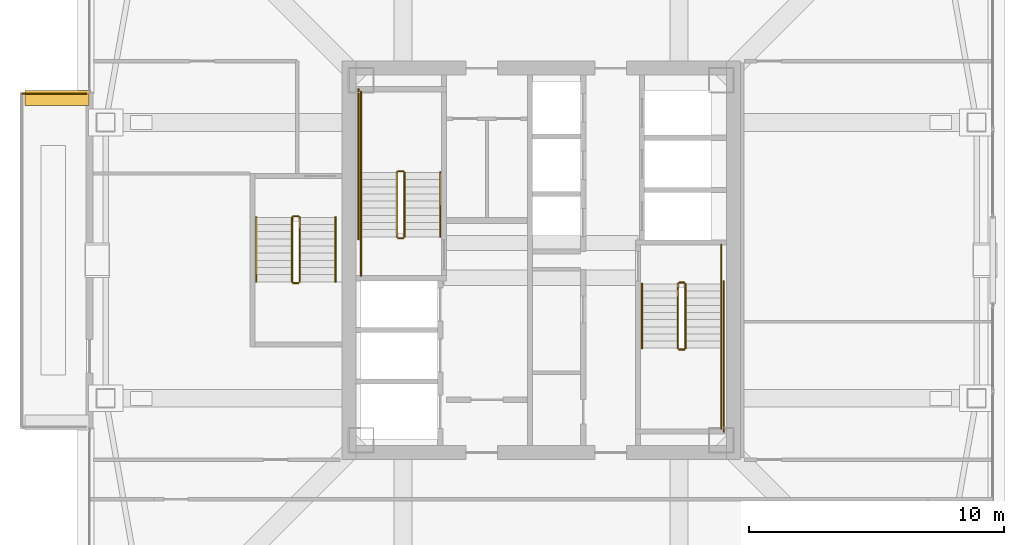
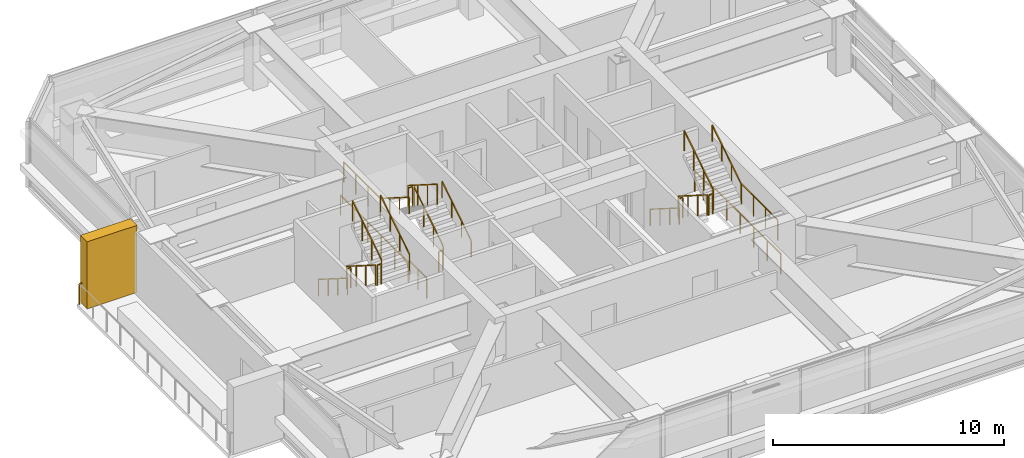
# One storey, part 38 of 42: 25 railings, 1 covering.
"""IFC4 building model written with IfcOpenShell, lengths in metres."""

from ifc_helpers import new_model, si_unit, direction, frame, origin, origin_2d, place, context, subcontext, project, spatial, rectangle, extrude, material, layer, layer_set, type_object, element, save


model = new_model("IFC4")

# Units and contexts
model_context = context("Model", 3, precision=1e-05, world=origin(), true_north=direction((0.0, 1.0)))
body_context = subcontext(model_context, "Body", "Model", "MODEL_VIEW")
ifc_project = project(units=[si_unit("LENGTHUNIT", "METRE"), si_unit("AREAUNIT", "SQUARE_METRE"), si_unit("VOLUMEUNIT", "CUBIC_METRE"), si_unit("PLANEANGLEUNIT", "RADIAN"), si_unit("MASSUNIT", "GRAM", prefix="KILO")], contexts=[model_context])

# Site, building, storey
site_placement = place(None, origin())
site = spatial("IfcSite", under=ifc_project, at=site_placement, CompositionType="ELEMENT")
building_placement = place(site_placement, origin())
building = spatial("IfcBuilding", under=site, at=building_placement, Name="Tashvorn Skyway Center", CompositionType="ELEMENT")
storey_placement = place(building_placement, frame((0.0, 0.0, 196.050048828125)))
storey = spatial("IfcBuildingStorey", under=building, at=storey_placement, Name="L53", CompositionType="ELEMENT", Elevation=196.050048828125)

# Covering
ifc_material_1 = material(Name="Precast concrete C40/50", Category="concrete")
ifc_layer = layer(ifc_material_1, 0.35009765625)
ifc_layer_set = layer_set([ifc_layer], Name="Precast concrete C40/50")
covering_type = type_object("IfcCoveringType", Name="COV-STONE-TRIM", PredefinedType="CLADDING", material=ifc_layer_set)
covering_placement = place(storey_placement, frame((23.050048828125, 38.35009765625, 0.0), z_axis=(0.0, 0.0, 1.0), x_axis=(0.0, 1.0, 0.0)))
element("IfcCovering", 1, at=covering_placement, inside=storey, type_object=covering_type, Name="Tower 1 L53 Sky Garden Loggia Pier R", PredefinedType="CLADDING", context=body_context, shape_type="SweptSolid", body=[
    extrude(rectangle(XDim=0.580078125, YDim=2.5, at=origin_2d()), origin(), (0.0, 0.0, 1.0), 3.550048828125),
])

# Railings
ifc_material_2 = material(Name="Galvanized steel S355", Category="steel")
railing_type_1 = type_object("IfcRailingType", Name="RAIL-GUARD-1120", PredefinedType="GUARDRAIL", material=ifc_material_2)
railing_1_placement = place(storey_placement, frame((21.679931640625, 38.52001953125, 0.0)))
element("IfcRailing", 2, at=railing_1_placement, inside=storey, type_object=railing_type_1, Name="L53 Tower 1 Terrace Guardrail 03", PredefinedType="GUARDRAIL", context=body_context, shape_type="SweptSolid", body=[
    extrude(rectangle(XDim=0.048095703125, YDim=0.048095703125, at=origin_2d()), frame((0.0, 0.0, 1.09619140625), z_axis=(1.0, 0.0, 0.0), x_axis=(0.0, 1.0, 0.0)), (0.0, 0.0, 1.0), 2.52001953125),
    extrude(rectangle(XDim=0.0419921875, YDim=0.0419921875, at=origin_2d()), origin(), (0.0, 0.0, 1.0), 1.072021484375),
    extrude(rectangle(XDim=0.0419921875, YDim=0.0419921875, at=origin_2d()), frame((0.840087890625, 0.0, 0.0)), (0.0, 0.0, 1.0), 1.072021484375),
    extrude(rectangle(XDim=0.0419921875, YDim=0.0419921875, at=origin_2d()), frame((1.679931640625, 0.0, 0.0)), (0.0, 0.0, 1.0), 1.072021484375),
    extrude(rectangle(XDim=0.0419921875, YDim=0.0419921875, at=origin_2d()), frame((2.52001953125, 0.0, 0.0)), (0.0, 0.0, 1.0), 1.072021484375),
])
ifc_material_3 = material(Name="Brushed stainless steel 316", Category="steel")
railing_type_2 = type_object("IfcRailingType", Name="RAIL-HAND-920", PredefinedType="HANDRAIL", material=ifc_material_3)
railing_2_placement = place(storey_placement, frame((38.050048828125, 32.919921875, 0.177490234375)))
element("IfcRailing", 3, at=railing_2_placement, inside=storey, type_object=railing_type_2, Name="L53 ST-T1-1 stair handrail 1", PredefinedType="HANDRAIL", context=body_context, shape_type="SweptSolid", body=[
    extrude(rectangle(XDim=0.048095703125, YDim=0.048095703125, at=origin_2d()), frame((0.0, 0.0, 0.8759765625), z_axis=(0.0, 0.84460694969, 0.535386869969), x_axis=(-1.0, 0.0, 0.0)), (0.0, 0.0, 1.0), 2.983642578125),
    extrude(rectangle(XDim=0.0419921875, YDim=0.0419921875, at=origin_2d()), origin(), (0.0, 0.0, 1.0), 0.851806640625),
    extrude(rectangle(XDim=0.0419921875, YDim=0.0419921875, at=origin_2d()), frame((0.0, 0.840087890625, 0.532470703125)), (0.0, 0.0, 1.0), 0.851806640625),
    extrude(rectangle(XDim=0.0419921875, YDim=0.0419921875, at=origin_2d()), frame((0.0, 1.679931640625, 1.06494140625)), (0.0, 0.0, 1.0), 0.851806640625),
    extrude(rectangle(XDim=0.0419921875, YDim=0.0419921875, at=origin_2d()), frame((0.0, 2.52001953125, 1.597412109375)), (0.0, 0.0, 1.0), 0.851806640625),
])
railing_3_placement = place(storey_placement, frame((34.949951171875, 35.43994140625, 1.952392578125)))
element("IfcRailing", 4, at=railing_3_placement, inside=storey, type_object=railing_type_2, Name="L53 ST-T1-1 stair handrail 2", PredefinedType="HANDRAIL", context=body_context, shape_type="SweptSolid", body=[
    extrude(rectangle(XDim=0.048095703125, YDim=0.048095703125, at=origin_2d()), frame((0.0, 0.0, 0.8759765625), z_axis=(0.0, -0.84456994832, 0.535445237532), x_axis=(1.0, 0.0, 0.0)), (0.0, 0.0, 1.0), 2.98388671875),
    extrude(rectangle(XDim=0.0419921875, YDim=0.0419921875, at=origin_2d()), origin(), (0.0, 0.0, 1.0), 0.851806640625),
    extrude(rectangle(XDim=0.0419921875, YDim=0.0419921875, at=origin_2d()), frame((0.0, -0.840087890625, 0.532470703125)), (0.0, 0.0, 1.0), 0.851806640625),
    extrude(rectangle(XDim=0.0419921875, YDim=0.0419921875, at=origin_2d()), frame((0.0, -1.679931640625, 1.065185546875)), (0.0, 0.0, 1.0), 0.851806640625),
    extrude(rectangle(XDim=0.0419921875, YDim=0.0419921875, at=origin_2d()), frame((0.0, -2.52001953125, 1.59765625)), (0.0, 0.0, 1.0), 0.851806640625),
])
railing_4_placement = place(storey_placement, frame((45.949951171875, 31.080078125, 0.177490234375)))
element("IfcRailing", 5, at=railing_4_placement, inside=storey, type_object=railing_type_2, Name="L53 ST-T1-2 stair handrail 1", PredefinedType="HANDRAIL", context=body_context, shape_type="SweptSolid", body=[
    extrude(rectangle(XDim=0.048095703125, YDim=0.048095703125, at=origin_2d()), frame((0.0, 0.0, 0.8759765625), z_axis=(0.0, -0.84460694969, 0.535386869969), x_axis=(1.0, 0.0, 0.0)), (0.0, 0.0, 1.0), 2.983642578125),
    extrude(rectangle(XDim=0.0419921875, YDim=0.0419921875, at=origin_2d()), origin(), (0.0, 0.0, 1.0), 0.851806640625),
    extrude(rectangle(XDim=0.0419921875, YDim=0.0419921875, at=origin_2d()), frame((0.0, -0.840087890625, 0.532470703125)), (0.0, 0.0, 1.0), 0.851806640625),
    extrude(rectangle(XDim=0.0419921875, YDim=0.0419921875, at=origin_2d()), frame((0.0, -1.679931640625, 1.06494140625)), (0.0, 0.0, 1.0), 0.851806640625),
    extrude(rectangle(XDim=0.0419921875, YDim=0.0419921875, at=origin_2d()), frame((0.0, -2.52001953125, 1.597412109375)), (0.0, 0.0, 1.0), 0.851806640625),
])
railing_5_placement = place(storey_placement, frame((49.050048828125, 28.56005859375, 1.952392578125)))
element("IfcRailing", 6, at=railing_5_placement, inside=storey, type_object=railing_type_2, Name="L53 ST-T1-2 stair handrail 2", PredefinedType="HANDRAIL", context=body_context, shape_type="SweptSolid", body=[
    extrude(rectangle(XDim=0.048095703125, YDim=0.048095703125, at=origin_2d()), frame((0.0, 0.0, 0.8759765625), z_axis=(0.0, 0.84456994832, 0.535445237532), x_axis=(-1.0, 0.0, 0.0)), (0.0, 0.0, 1.0), 2.98388671875),
    extrude(rectangle(XDim=0.0419921875, YDim=0.0419921875, at=origin_2d()), origin(), (0.0, 0.0, 1.0), 0.851806640625),
    extrude(rectangle(XDim=0.0419921875, YDim=0.0419921875, at=origin_2d()), frame((0.0, 0.840087890625, 0.532470703125)), (0.0, 0.0, 1.0), 0.851806640625),
    extrude(rectangle(XDim=0.0419921875, YDim=0.0419921875, at=origin_2d()), frame((0.0, 1.679931640625, 1.065185546875)), (0.0, 0.0, 1.0), 0.851806640625),
    extrude(rectangle(XDim=0.0419921875, YDim=0.0419921875, at=origin_2d()), frame((0.0, 2.52001953125, 1.59765625)), (0.0, 0.0, 1.0), 0.851806640625),
])
railing_6_placement = place(storey_placement, frame((30.85009765625, 33.679931640625, 0.177490234375)))
element("IfcRailing", 7, at=railing_6_placement, inside=storey, type_object=railing_type_2, Name="L53 ST-T1-3 stair handrail 1", PredefinedType="HANDRAIL", context=body_context, shape_type="SweptSolid", body=[
    extrude(rectangle(XDim=0.048095703125, YDim=0.048095703125, at=origin_2d()), frame((0.0, 0.0, 0.8759765625), z_axis=(0.0, -0.84460694969, 0.535386869969), x_axis=(1.0, 0.0, 0.0)), (0.0, 0.0, 1.0), 2.983642578125),
    extrude(rectangle(XDim=0.0419921875, YDim=0.0419921875, at=origin_2d()), origin(), (0.0, 0.0, 1.0), 0.851806640625),
    extrude(rectangle(XDim=0.0419921875, YDim=0.0419921875, at=origin_2d()), frame((0.0, -0.840087890625, 0.532470703125)), (0.0, 0.0, 1.0), 0.851806640625),
    extrude(rectangle(XDim=0.0419921875, YDim=0.0419921875, at=origin_2d()), frame((0.0, -1.679931640625, 1.06494140625)), (0.0, 0.0, 1.0), 0.851806640625),
    extrude(rectangle(XDim=0.0419921875, YDim=0.0419921875, at=origin_2d()), frame((0.0, -2.52001953125, 1.597412109375)), (0.0, 0.0, 1.0), 0.851806640625),
])
railing_7_placement = place(storey_placement, frame((33.949951171875, 31.159912109375, 1.952392578125)))
element("IfcRailing", 8, at=railing_7_placement, inside=storey, type_object=railing_type_2, Name="L53 ST-T1-3 stair handrail 2", PredefinedType="HANDRAIL", context=body_context, shape_type="SweptSolid", body=[
    extrude(rectangle(XDim=0.048095703125, YDim=0.048095703125, at=origin_2d()), frame((0.0, 0.0, 0.8759765625), z_axis=(0.0, 0.84456994832, 0.535445237532), x_axis=(-1.0, 0.0, 0.0)), (0.0, 0.0, 1.0), 2.98388671875),
    extrude(rectangle(XDim=0.0419921875, YDim=0.0419921875, at=origin_2d()), origin(), (0.0, 0.0, 1.0), 0.851806640625),
    extrude(rectangle(XDim=0.0419921875, YDim=0.0419921875, at=origin_2d()), frame((0.0, 0.840087890625, 0.532470703125)), (0.0, 0.0, 1.0), 0.851806640625),
    extrude(rectangle(XDim=0.0419921875, YDim=0.0419921875, at=origin_2d()), frame((0.0, 1.679931640625, 1.065185546875)), (0.0, 0.0, 1.0), 0.851806640625),
    extrude(rectangle(XDim=0.0419921875, YDim=0.0419921875, at=origin_2d()), frame((0.0, 2.52001953125, 1.59765625)), (0.0, 0.0, 1.0), 0.851806640625),
])
ifc_material_4 = material(Name="Painted galvanized steel S355", Category="steel")
railing_type_3 = type_object("IfcRailingType", Name="RAIL-STGUARD-1100", PredefinedType="GUARDRAIL", material=ifc_material_4)
railing_8_placement = place(storey_placement, frame((36.64990234375, 32.919921875, 0.177490234375)))
element("IfcRailing", 9, at=railing_8_placement, inside=storey, type_object=railing_type_3, Name="L53 ST-T1-1 stair guard 1", PredefinedType="GUARDRAIL", context=body_context, shape_type="SweptSolid", body=[
    extrude(rectangle(XDim=0.048095703125, YDim=0.048095703125, at=origin_2d()), frame((0.0, 0.0, 1.076171875), z_axis=(0.0, 0.84460694969, 0.535386869969), x_axis=(-1.0, 0.0, 0.0)), (0.0, 0.0, 1.0), 2.983642578125),
    extrude(rectangle(XDim=0.0419921875, YDim=0.0419921875, at=origin_2d()), origin(), (0.0, 0.0, 1.0), 1.052001953125),
    extrude(rectangle(XDim=0.0419921875, YDim=0.0419921875, at=origin_2d()), frame((0.0, 0.840087890625, 0.532470703125)), (0.0, 0.0, 1.0), 1.052001953125),
    extrude(rectangle(XDim=0.0419921875, YDim=0.0419921875, at=origin_2d()), frame((0.0, 1.679931640625, 1.06494140625)), (0.0, 0.0, 1.0), 1.052001953125),
    extrude(rectangle(XDim=0.0419921875, YDim=0.0419921875, at=origin_2d()), frame((0.0, 2.52001953125, 1.597412109375)), (0.0, 0.0, 1.0), 1.052001953125),
])
railing_9_placement = place(storey_placement, frame((36.60009765625, 35.489990234375, 1.77490234375)))
element("IfcRailing", 10, at=railing_9_placement, inside=storey, type_object=railing_type_3, Name="L53 ST-T1-1 stair guard 2", PredefinedType="GUARDRAIL", context=body_context, shape_type="SweptSolid", body=[
    extrude(rectangle(XDim=0.048095703125, YDim=0.048095703125, at=origin_2d()), frame((0.0, 0.0, 1.076171875), z_axis=(-1.0, 0.0, 0.0), x_axis=(0.0, -1.0, 0.0)), (0.0, 0.0, 1.0), 0.2001953125),
    extrude(rectangle(XDim=0.0419921875, YDim=0.0419921875, at=origin_2d()), origin(), (0.0, 0.0, 1.0), 1.052001953125),
    extrude(rectangle(XDim=0.0419921875, YDim=0.0419921875, at=origin_2d()), frame((-0.2001953125, 0.0, 0.0)), (0.0, 0.0, 1.0), 1.052001953125),
])
railing_10_placement = place(storey_placement, frame((34.949951171875, 35.43994140625, 1.77490234375)))
element("IfcRailing", 11, at=railing_10_placement, inside=storey, type_object=railing_type_3, Name="L53 ST-T1-1 stair guard 3", PredefinedType="GUARDRAIL", context=body_context, shape_type="SweptSolid", body=[
    extrude(rectangle(XDim=0.048095703125, YDim=0.048095703125, at=origin_2d()), frame((0.0, 0.0, 1.076171875), z_axis=(0.0, 1.0, 0.0), x_axis=(-1.0, 0.0, 0.0)), (0.0, 0.0, 1.0), 3.16015625),
    extrude(rectangle(XDim=0.0419921875, YDim=0.0419921875, at=origin_2d()), origin(), (0.0, 0.0, 1.0), 1.052001953125),
    extrude(rectangle(XDim=0.0419921875, YDim=0.0419921875, at=origin_2d()), frame((0.0, 1.053466796875, 0.0)), (0.0, 0.0, 1.0), 1.052001953125),
    extrude(rectangle(XDim=0.0419921875, YDim=0.0419921875, at=origin_2d()), frame((0.0, 2.106689453125, 0.0)), (0.0, 0.0, 1.0), 1.052001953125),
    extrude(rectangle(XDim=0.0419921875, YDim=0.0419921875, at=origin_2d()), frame((0.0, 3.16015625, 0.0)), (0.0, 0.0, 1.0), 1.052001953125),
])
railing_11_placement = place(storey_placement, frame((36.35009765625, 35.43994140625, 1.952392578125)))
element("IfcRailing", 12, at=railing_11_placement, inside=storey, type_object=railing_type_3, Name="L53 ST-T1-1 stair guard 4", PredefinedType="GUARDRAIL", context=body_context, shape_type="SweptSolid", body=[
    extrude(rectangle(XDim=0.048095703125, YDim=0.048095703125, at=origin_2d()), frame((0.0, 0.0, 1.076171875), z_axis=(0.0, -0.84456994832, 0.535445237532), x_axis=(1.0, 0.0, 0.0)), (0.0, 0.0, 1.0), 2.98388671875),
    extrude(rectangle(XDim=0.0419921875, YDim=0.0419921875, at=origin_2d()), origin(), (0.0, 0.0, 1.0), 1.052001953125),
    extrude(rectangle(XDim=0.0419921875, YDim=0.0419921875, at=origin_2d()), frame((0.0, -0.840087890625, 0.532470703125)), (0.0, 0.0, 1.0), 1.052001953125),
    extrude(rectangle(XDim=0.0419921875, YDim=0.0419921875, at=origin_2d()), frame((0.0, -1.679931640625, 1.065185546875)), (0.0, 0.0, 1.0), 1.052001953125),
    extrude(rectangle(XDim=0.0419921875, YDim=0.0419921875, at=origin_2d()), frame((0.0, -2.52001953125, 1.59765625)), (0.0, 0.0, 1.0), 1.052001953125),
])
railing_12_placement = place(storey_placement, frame((36.60009765625, 32.8701171875, 0.0)))
element("IfcRailing", 13, at=railing_12_placement, inside=storey, type_object=railing_type_3, Name="L53 ST-T1-1 stair guard 5", PredefinedType="GUARDRAIL", context=body_context, shape_type="SweptSolid", body=[
    extrude(rectangle(XDim=0.048095703125, YDim=0.048095703125, at=origin_2d()), frame((0.0, 0.0, 1.076171875), z_axis=(-1.0, 0.0, 0.0), x_axis=(0.0, -1.0, 0.0)), (0.0, 0.0, 1.0), 0.2001953125),
    extrude(rectangle(XDim=0.0419921875, YDim=0.0419921875, at=origin_2d()), origin(), (0.0, 0.0, 1.0), 1.052001953125),
    extrude(rectangle(XDim=0.0419921875, YDim=0.0419921875, at=origin_2d()), frame((-0.2001953125, 0.0, 0.0)), (0.0, 0.0, 1.0), 1.052001953125),
])
railing_13_placement = place(storey_placement, frame((34.949951171875, 31.39990234375, 0.0)))
element("IfcRailing", 14, at=railing_13_placement, inside=storey, type_object=railing_type_3, Name="L53 ST-T1-1 stair guard 6", PredefinedType="GUARDRAIL", context=body_context, shape_type="SweptSolid", body=[
    extrude(rectangle(XDim=0.048095703125, YDim=0.048095703125, at=origin_2d()), frame((0.0, 0.0, 1.076171875), z_axis=(0.0, 1.0, 0.0), x_axis=(-1.0, 0.0, 0.0)), (0.0, 0.0, 1.0), 1.52001953125),
    extrude(rectangle(XDim=0.0419921875, YDim=0.0419921875, at=origin_2d()), origin(), (0.0, 0.0, 1.0), 1.052001953125),
    extrude(rectangle(XDim=0.0419921875, YDim=0.0419921875, at=origin_2d()), frame((0.0, 0.760009765625, 0.0)), (0.0, 0.0, 1.0), 1.052001953125),
    extrude(rectangle(XDim=0.0419921875, YDim=0.0419921875, at=origin_2d()), frame((0.0, 1.52001953125, 0.0)), (0.0, 0.0, 1.0), 1.052001953125),
])
railing_14_placement = place(storey_placement, frame((34.85009765625, 32.820068359375, 0.0)))
element("IfcRailing", 15, at=railing_14_placement, inside=storey, type_object=railing_type_3, Name="L53 ST-T1-1 stair guard 7", PredefinedType="GUARDRAIL", context=body_context, shape_type="SweptSolid", body=[
    extrude(rectangle(XDim=0.048095703125, YDim=0.048095703125, at=origin_2d()), frame((0.0, 0.0, 1.076171875), z_axis=(0.0, 1.0, 0.0), x_axis=(-1.0, 0.0, 0.0)), (0.0, 0.0, 1.0), 5.8798828125),
    extrude(rectangle(XDim=0.0419921875, YDim=0.0419921875, at=origin_2d()), origin(), (0.0, 0.0, 1.0), 1.052001953125),
    extrude(rectangle(XDim=0.0419921875, YDim=0.0419921875, at=origin_2d()), frame((0.0, 1.176025390625, 0.0)), (0.0, 0.0, 1.0), 1.052001953125),
    extrude(rectangle(XDim=0.0419921875, YDim=0.0419921875, at=origin_2d()), frame((0.0, 2.35205078125, 0.0)), (0.0, 0.0, 1.0), 1.052001953125),
    extrude(rectangle(XDim=0.0419921875, YDim=0.0419921875, at=origin_2d()), frame((0.0, 3.52783203125, 0.0)), (0.0, 0.0, 1.0), 1.052001953125),
    extrude(rectangle(XDim=0.0419921875, YDim=0.0419921875, at=origin_2d()), frame((0.0, 4.703857421875, 0.0)), (0.0, 0.0, 1.0), 1.052001953125),
    extrude(rectangle(XDim=0.0419921875, YDim=0.0419921875, at=origin_2d()), frame((0.0, 5.8798828125, 0.0)), (0.0, 0.0, 1.0), 1.052001953125),
])
railing_15_placement = place(storey_placement, frame((47.35009765625, 31.080078125, 0.177490234375)))
element("IfcRailing", 16, at=railing_15_placement, inside=storey, type_object=railing_type_3, Name="L53 ST-T1-2 stair guard 1", PredefinedType="GUARDRAIL", context=body_context, shape_type="SweptSolid", body=[
    extrude(rectangle(XDim=0.048095703125, YDim=0.048095703125, at=origin_2d()), frame((0.0, 0.0, 1.076171875), z_axis=(0.0, -0.84460694969, 0.535386869969), x_axis=(1.0, 0.0, 0.0)), (0.0, 0.0, 1.0), 2.983642578125),
    extrude(rectangle(XDim=0.0419921875, YDim=0.0419921875, at=origin_2d()), origin(), (0.0, 0.0, 1.0), 1.052001953125),
    extrude(rectangle(XDim=0.0419921875, YDim=0.0419921875, at=origin_2d()), frame((0.0, -0.840087890625, 0.532470703125)), (0.0, 0.0, 1.0), 1.052001953125),
    extrude(rectangle(XDim=0.0419921875, YDim=0.0419921875, at=origin_2d()), frame((0.0, -1.679931640625, 1.06494140625)), (0.0, 0.0, 1.0), 1.052001953125),
    extrude(rectangle(XDim=0.0419921875, YDim=0.0419921875, at=origin_2d()), frame((0.0, -2.52001953125, 1.597412109375)), (0.0, 0.0, 1.0), 1.052001953125),
])
railing_16_placement = place(storey_placement, frame((47.39990234375, 28.510009765625, 1.77490234375)))
element("IfcRailing", 17, at=railing_16_placement, inside=storey, type_object=railing_type_3, Name="L53 ST-T1-2 stair guard 2", PredefinedType="GUARDRAIL", context=body_context, shape_type="SweptSolid", body=[
    extrude(rectangle(XDim=0.048095703125, YDim=0.048095703125, at=origin_2d()), frame((0.0, 0.0, 1.076171875), z_axis=(1.0, 0.0, 0.0), x_axis=(0.0, 1.0, 0.0)), (0.0, 0.0, 1.0), 0.2001953125),
    extrude(rectangle(XDim=0.0419921875, YDim=0.0419921875, at=origin_2d()), origin(), (0.0, 0.0, 1.0), 1.052001953125),
    extrude(rectangle(XDim=0.0419921875, YDim=0.0419921875, at=origin_2d()), frame((0.2001953125, 0.0, 0.0)), (0.0, 0.0, 1.0), 1.052001953125),
])
railing_17_placement = place(storey_placement, frame((49.050048828125, 28.56005859375, 1.77490234375)))
element("IfcRailing", 18, at=railing_17_placement, inside=storey, type_object=railing_type_3, Name="L53 ST-T1-2 stair guard 3", PredefinedType="GUARDRAIL", context=body_context, shape_type="SweptSolid", body=[
    extrude(rectangle(XDim=0.048095703125, YDim=0.048095703125, at=origin_2d()), frame((0.0, 0.0, 1.076171875), z_axis=(0.0, -1.0, 0.0), x_axis=(1.0, 0.0, 0.0)), (0.0, 0.0, 1.0), 3.16015625),
    extrude(rectangle(XDim=0.0419921875, YDim=0.0419921875, at=origin_2d()), origin(), (0.0, 0.0, 1.0), 1.052001953125),
    extrude(rectangle(XDim=0.0419921875, YDim=0.0419921875, at=origin_2d()), frame((0.0, -1.053466796875, 0.0)), (0.0, 0.0, 1.0), 1.052001953125),
    extrude(rectangle(XDim=0.0419921875, YDim=0.0419921875, at=origin_2d()), frame((0.0, -2.106689453125, 0.0)), (0.0, 0.0, 1.0), 1.052001953125),
    extrude(rectangle(XDim=0.0419921875, YDim=0.0419921875, at=origin_2d()), frame((0.0, -3.16015625, 0.0)), (0.0, 0.0, 1.0), 1.052001953125),
])
railing_18_placement = place(storey_placement, frame((47.64990234375, 28.56005859375, 1.952392578125)))
element("IfcRailing", 19, at=railing_18_placement, inside=storey, type_object=railing_type_3, Name="L53 ST-T1-2 stair guard 4", PredefinedType="GUARDRAIL", context=body_context, shape_type="SweptSolid", body=[
    extrude(rectangle(XDim=0.048095703125, YDim=0.048095703125, at=origin_2d()), frame((0.0, 0.0, 1.076171875), z_axis=(0.0, 0.84456994832, 0.535445237532), x_axis=(-1.0, 0.0, 0.0)), (0.0, 0.0, 1.0), 2.98388671875),
    extrude(rectangle(XDim=0.0419921875, YDim=0.0419921875, at=origin_2d()), origin(), (0.0, 0.0, 1.0), 1.052001953125),
    extrude(rectangle(XDim=0.0419921875, YDim=0.0419921875, at=origin_2d()), frame((0.0, 0.840087890625, 0.532470703125)), (0.0, 0.0, 1.0), 1.052001953125),
    extrude(rectangle(XDim=0.0419921875, YDim=0.0419921875, at=origin_2d()), frame((0.0, 1.679931640625, 1.065185546875)), (0.0, 0.0, 1.0), 1.052001953125),
    extrude(rectangle(XDim=0.0419921875, YDim=0.0419921875, at=origin_2d()), frame((0.0, 2.52001953125, 1.59765625)), (0.0, 0.0, 1.0), 1.052001953125),
])
railing_19_placement = place(storey_placement, frame((47.39990234375, 31.1298828125, 0.0)))
element("IfcRailing", 20, at=railing_19_placement, inside=storey, type_object=railing_type_3, Name="L53 ST-T1-2 stair guard 5", PredefinedType="GUARDRAIL", context=body_context, shape_type="SweptSolid", body=[
    extrude(rectangle(XDim=0.048095703125, YDim=0.048095703125, at=origin_2d()), frame((0.0, 0.0, 1.076171875), z_axis=(1.0, 0.0, 0.0), x_axis=(0.0, 1.0, 0.0)), (0.0, 0.0, 1.0), 0.2001953125),
    extrude(rectangle(XDim=0.0419921875, YDim=0.0419921875, at=origin_2d()), origin(), (0.0, 0.0, 1.0), 1.052001953125),
    extrude(rectangle(XDim=0.0419921875, YDim=0.0419921875, at=origin_2d()), frame((0.2001953125, 0.0, 0.0)), (0.0, 0.0, 1.0), 1.052001953125),
])
railing_20_placement = place(storey_placement, frame((49.050048828125, 32.60009765625, 0.0)))
element("IfcRailing", 21, at=railing_20_placement, inside=storey, type_object=railing_type_3, Name="L53 ST-T1-2 stair guard 6", PredefinedType="GUARDRAIL", context=body_context, shape_type="SweptSolid", body=[
    extrude(rectangle(XDim=0.048095703125, YDim=0.048095703125, at=origin_2d()), frame((0.0, 0.0, 1.076171875), z_axis=(0.0, -1.0, 0.0), x_axis=(1.0, 0.0, 0.0)), (0.0, 0.0, 1.0), 1.52001953125),
    extrude(rectangle(XDim=0.0419921875, YDim=0.0419921875, at=origin_2d()), origin(), (0.0, 0.0, 1.0), 1.052001953125),
    extrude(rectangle(XDim=0.0419921875, YDim=0.0419921875, at=origin_2d()), frame((0.0, -0.760009765625, 0.0)), (0.0, 0.0, 1.0), 1.052001953125),
    extrude(rectangle(XDim=0.0419921875, YDim=0.0419921875, at=origin_2d()), frame((0.0, -1.52001953125, 0.0)), (0.0, 0.0, 1.0), 1.052001953125),
])
railing_21_placement = place(storey_placement, frame((49.14990234375, 31.179931640625, 0.0)))
element("IfcRailing", 22, at=railing_21_placement, inside=storey, type_object=railing_type_3, Name="L53 ST-T1-2 stair guard 7", PredefinedType="GUARDRAIL", context=body_context, shape_type="SweptSolid", body=[
    extrude(rectangle(XDim=0.048095703125, YDim=0.048095703125, at=origin_2d()), frame((0.0, 0.0, 1.076171875), z_axis=(0.0, -1.0, 0.0), x_axis=(1.0, 0.0, 0.0)), (0.0, 0.0, 1.0), 5.8798828125),
    extrude(rectangle(XDim=0.0419921875, YDim=0.0419921875, at=origin_2d()), origin(), (0.0, 0.0, 1.0), 1.052001953125),
    extrude(rectangle(XDim=0.0419921875, YDim=0.0419921875, at=origin_2d()), frame((0.0, -1.176025390625, 0.0)), (0.0, 0.0, 1.0), 1.052001953125),
    extrude(rectangle(XDim=0.0419921875, YDim=0.0419921875, at=origin_2d()), frame((0.0, -2.35205078125, 0.0)), (0.0, 0.0, 1.0), 1.052001953125),
    extrude(rectangle(XDim=0.0419921875, YDim=0.0419921875, at=origin_2d()), frame((0.0, -3.52783203125, 0.0)), (0.0, 0.0, 1.0), 1.052001953125),
    extrude(rectangle(XDim=0.0419921875, YDim=0.0419921875, at=origin_2d()), frame((0.0, -4.703857421875, 0.0)), (0.0, 0.0, 1.0), 1.052001953125),
    extrude(rectangle(XDim=0.0419921875, YDim=0.0419921875, at=origin_2d()), frame((0.0, -5.8798828125, 0.0)), (0.0, 0.0, 1.0), 1.052001953125),
])
railing_22_placement = place(storey_placement, frame((32.25, 33.679931640625, 0.177490234375)))
element("IfcRailing", 23, at=railing_22_placement, inside=storey, type_object=railing_type_3, Name="L53 ST-T1-3 stair guard 1", PredefinedType="GUARDRAIL", context=body_context, shape_type="SweptSolid", body=[
    extrude(rectangle(XDim=0.048095703125, YDim=0.048095703125, at=origin_2d()), frame((0.0, 0.0, 1.076171875), z_axis=(0.0, -0.84460694969, 0.535386869969), x_axis=(1.0, 0.0, 0.0)), (0.0, 0.0, 1.0), 2.983642578125),
    extrude(rectangle(XDim=0.0419921875, YDim=0.0419921875, at=origin_2d()), origin(), (0.0, 0.0, 1.0), 1.052001953125),
    extrude(rectangle(XDim=0.0419921875, YDim=0.0419921875, at=origin_2d()), frame((0.0, -0.840087890625, 0.532470703125)), (0.0, 0.0, 1.0), 1.052001953125),
    extrude(rectangle(XDim=0.0419921875, YDim=0.0419921875, at=origin_2d()), frame((0.0, -1.679931640625, 1.06494140625)), (0.0, 0.0, 1.0), 1.052001953125),
    extrude(rectangle(XDim=0.0419921875, YDim=0.0419921875, at=origin_2d()), frame((0.0, -2.52001953125, 1.597412109375)), (0.0, 0.0, 1.0), 1.052001953125),
])
railing_23_placement = place(storey_placement, frame((32.300048828125, 31.110107421875, 1.77490234375)))
element("IfcRailing", 24, at=railing_23_placement, inside=storey, type_object=railing_type_3, Name="L53 ST-T1-3 stair guard 2", PredefinedType="GUARDRAIL", context=body_context, shape_type="SweptSolid", body=[
    extrude(rectangle(XDim=0.048095703125, YDim=0.048095703125, at=origin_2d()), frame((0.0, 0.0, 1.076171875), z_axis=(1.0, 0.0, 0.0), x_axis=(0.0, 1.0, 0.0)), (0.0, 0.0, 1.0), 0.199951171875),
    extrude(rectangle(XDim=0.0419921875, YDim=0.0419921875, at=origin_2d()), origin(), (0.0, 0.0, 1.0), 1.052001953125),
    extrude(rectangle(XDim=0.0419921875, YDim=0.0419921875, at=origin_2d()), frame((0.199951171875, 0.0, 0.0)), (0.0, 0.0, 1.0), 1.052001953125),
])
railing_24_placement = place(storey_placement, frame((32.550048828125, 31.159912109375, 1.952392578125)))
element("IfcRailing", 25, at=railing_24_placement, inside=storey, type_object=railing_type_3, Name="L53 ST-T1-3 stair guard 3", PredefinedType="GUARDRAIL", context=body_context, shape_type="SweptSolid", body=[
    extrude(rectangle(XDim=0.048095703125, YDim=0.048095703125, at=origin_2d()), frame((0.0, 0.0, 1.076171875), z_axis=(0.0, 0.84456994832, 0.535445237532), x_axis=(-1.0, 0.0, 0.0)), (0.0, 0.0, 1.0), 2.98388671875),
    extrude(rectangle(XDim=0.0419921875, YDim=0.0419921875, at=origin_2d()), origin(), (0.0, 0.0, 1.0), 1.052001953125),
    extrude(rectangle(XDim=0.0419921875, YDim=0.0419921875, at=origin_2d()), frame((0.0, 0.840087890625, 0.532470703125)), (0.0, 0.0, 1.0), 1.052001953125),
    extrude(rectangle(XDim=0.0419921875, YDim=0.0419921875, at=origin_2d()), frame((0.0, 1.679931640625, 1.065185546875)), (0.0, 0.0, 1.0), 1.052001953125),
    extrude(rectangle(XDim=0.0419921875, YDim=0.0419921875, at=origin_2d()), frame((0.0, 2.52001953125, 1.59765625)), (0.0, 0.0, 1.0), 1.052001953125),
])
railing_25_placement = place(storey_placement, frame((32.300048828125, 33.72998046875, 0.0)))
element("IfcRailing", 26, at=railing_25_placement, inside=storey, type_object=railing_type_3, Name="L53 ST-T1-3 stair guard 4", PredefinedType="GUARDRAIL", context=body_context, shape_type="SweptSolid", body=[
    extrude(rectangle(XDim=0.048095703125, YDim=0.048095703125, at=origin_2d()), frame((0.0, 0.0, 1.076171875), z_axis=(1.0, 0.0, 0.0), x_axis=(0.0, 1.0, 0.0)), (0.0, 0.0, 1.0), 0.199951171875),
    extrude(rectangle(XDim=0.0419921875, YDim=0.0419921875, at=origin_2d()), origin(), (0.0, 0.0, 1.0), 1.052001953125),
    extrude(rectangle(XDim=0.0419921875, YDim=0.0419921875, at=origin_2d()), frame((0.199951171875, 0.0, 0.0)), (0.0, 0.0, 1.0), 1.052001953125),
])

save(model, "model.ifc")
